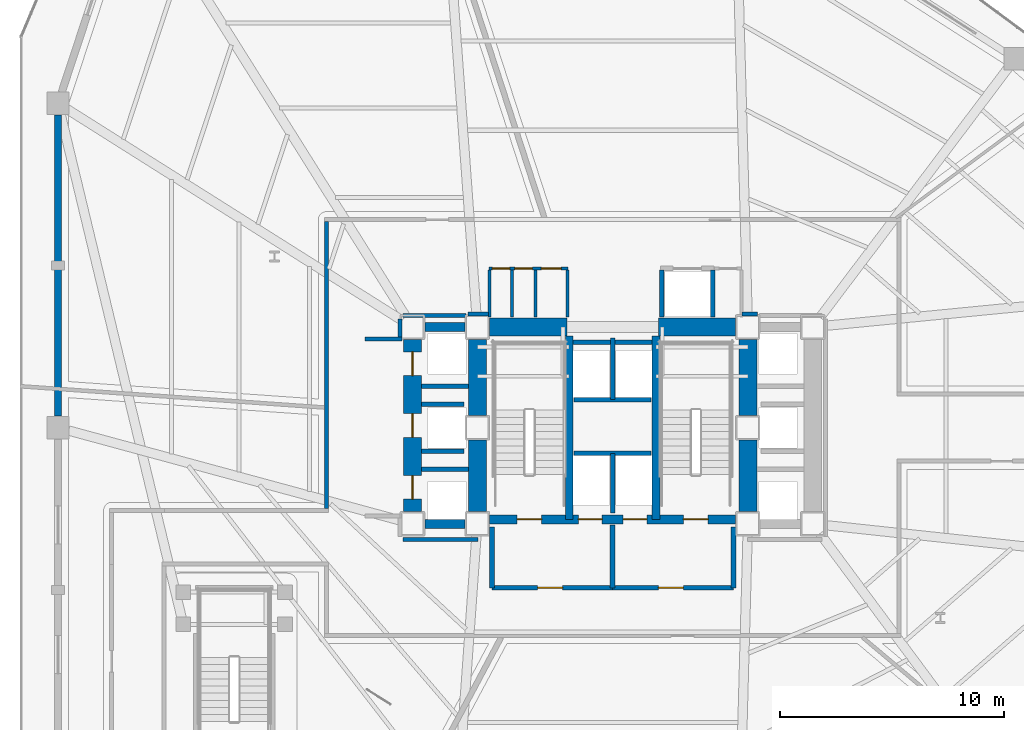
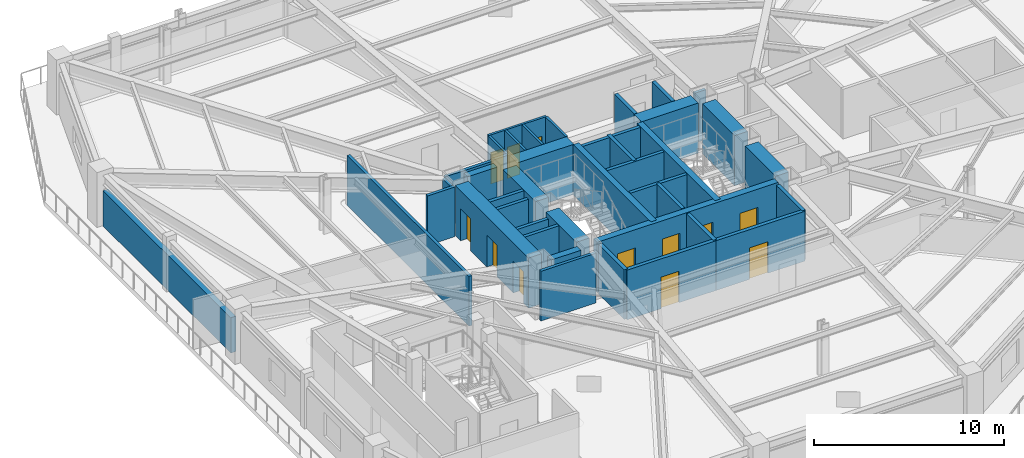
# One storey, part 6 of 12: 41 walls, 12 doors, 12 openings.
"""IFC4 building model written with IfcOpenShell, lengths in metres."""

import ifcopenshell
import ifcopenshell.guid

model = None  # the IFC model being written
_history = None  # IfcOwnerHistory: only IFC2X3 demands one
_inside = {}  # id of a spatial element -> (the spatial element, [elements in it])
_under = {}  # id of a project, library or spatial element -> (it, [spatial elements below it])
_declared = {}  # id of a project -> (the project, [libraries it declares])
_typed = {}  # id of a type object -> (the type object, [elements of that type])
_made_of = {}  # id of a material, layer set ... -> (it, [elements and type objects made of it])


def new_model(schema):
    """Start an empty IFC model of exactly this schema.

    Asked for "IFC4X3", IfcOpenShell would pick the latest addendum, in which some entities
    have other attributes; the version numbers below select the first issue.
    IFC2X3 requires an IfcOwnerHistory on every rooted entity: one is made here for all.
    """
    global model, _history
    if schema == "IFC4X3":
        model = ifcopenshell.file(schema_version=(4, 3, 0, 0))
    else:
        model = ifcopenshell.file(schema=schema)
    _inside.clear()
    _under.clear()
    _declared.clear()
    _typed.clear()
    _made_of.clear()
    _history = None
    if model.schema == "IFC2X3":
        org = make("IfcOrganization", Name="unknown")
        user = make(
            "IfcPersonAndOrganization",
            ThePerson=make("IfcPerson", FamilyName="unknown"),
            TheOrganization=org,
        )
        app = make(
            "IfcApplication",
            ApplicationDeveloper=org,
            Version="unknown",
            ApplicationFullName="unknown",
            ApplicationIdentifier="unknown",
        )
        _history = make(
            "IfcOwnerHistory",
            OwningUser=user,
            OwningApplication=app,
            ChangeAction="ADDED",
            CreationDate=0,
        )
    return model


def make(cls, **values):
    """One entity of the class cls with the attributes given. An attribute that is None is left unset."""
    return model.create_entity(
        cls, **{name: value for name, value in values.items() if value is not None}
    )


def rooted(cls, **values):
    """An entity with a GlobalId (a new one), such as an element, a storey or a relation."""
    return make(cls, GlobalId=ifcopenshell.guid.new(), OwnerHistory=_history, **values)


def si_unit(unit_type, name, prefix=None):
    """IfcSIUnit, for example si_unit("LENGTHUNIT", "METRE", prefix="MILLI")."""
    return make("IfcSIUnit", UnitType=unit_type, Prefix=prefix, Name=name)


def assignment(units):
    """IfcUnitAssignment: the units of a project."""
    return None if units is None else make("IfcUnitAssignment", Units=units)


def point(xyz):
    """IfcCartesianPoint."""
    return None if xyz is None else make("IfcCartesianPoint", Coordinates=xyz)


def direction(xyz):
    """IfcDirection."""
    return None if xyz is None else make("IfcDirection", DirectionRatios=xyz)


def frame(location, z_axis=None, x_axis=None):
    """IfcAxis2Placement3D, a coordinate frame: its origin and axes. An axis left out is left unset."""
    return make(
        "IfcAxis2Placement3D",
        Location=point(location),
        Axis=direction(z_axis),
        RefDirection=direction(x_axis),
    )


def frame_2d(location, x_axis=None):
    """IfcAxis2Placement2D, a coordinate frame in the plane: its origin and x axis."""
    return make(
        "IfcAxis2Placement2D", Location=point(location), RefDirection=direction(x_axis)
    )


def origin():
    """The frame at (0, 0, 0) with its axes left unset."""
    return frame((0.0, 0.0, 0.0))


def place(relative_to, where):
    """IfcLocalPlacement: puts the frame where relative to a parent placement (None: the world)."""
    return make(
        "IfcLocalPlacement", PlacementRelTo=relative_to, RelativePlacement=where
    )


def context(
    kind, dimensions, precision=None, world=None, true_north=None, identifier=None
):
    """IfcGeometricRepresentationContext, for example the 3D "Model" context."""
    return make(
        "IfcGeometricRepresentationContext",
        ContextIdentifier=identifier,
        ContextType=kind,
        CoordinateSpaceDimension=dimensions,
        Precision=precision,
        WorldCoordinateSystem=world,
        TrueNorth=true_north,
    )


def subcontext(parent, identifier, kind, view, scale=None):
    """IfcGeometricRepresentationSubContext, for example "Body" below "Model"."""
    return make(
        "IfcGeometricRepresentationSubContext",
        ContextIdentifier=identifier,
        ContextType=kind,
        ParentContext=parent,
        TargetScale=scale,
        TargetView=view,
    )


def project(units=None, contexts=None):
    """IfcProject with its units and contexts."""
    return rooted(
        "IfcProject",
        Name="project",
        RepresentationContexts=contexts,
        UnitsInContext=assignment(units),
    )


def spatial(cls, under=None, at=None, **own):
    """A site, building, storey or space (cls), placed at a placement, below another one or the project."""
    s = rooted(cls, ObjectPlacement=at, **own)
    if under is not None:
        _under.setdefault(under.id(), (under, []))[1].append(s)
    return s


def profile(cls, at=None, kind="AREA", **sizes):
    """A parametric profile (cls). Its sizes go by their IFC names, for example OverallWidth=200.0."""
    return make(cls, ProfileType=kind, Position=at, **sizes)


def rectangle(**sizes):
    """IfcRectangleProfileDef."""
    return profile("IfcRectangleProfileDef", **sizes)


def extrude(swept, where, along, depth):
    """IfcExtrudedAreaSolid: the profile swept, set in the frame where, extruded along a direction by depth."""
    return make(
        "IfcExtrudedAreaSolid",
        SweptArea=swept,
        Position=where,
        ExtrudedDirection=direction(along),
        Depth=depth,
    )


def shape(context_of_items, identifier, shape_type, items):
    """IfcShapeRepresentation: the items that make up one representation, for example the "Body"."""
    return make(
        "IfcShapeRepresentation",
        ContextOfItems=context_of_items,
        RepresentationIdentifier=identifier,
        RepresentationType=shape_type,
        Items=items,
    )


def material(Name=None, Category=None):
    """IfcMaterial."""
    return make("IfcMaterial", Name=Name, Category=Category)


def layer(
    of_material, thickness, ventilated=None, Name=None, Category=None, Priority=None
):
    """IfcMaterialLayer: one layer of a wall or slab, of a material (None: an air gap)."""
    return make(
        "IfcMaterialLayer",
        Material=of_material,
        LayerThickness=thickness,
        IsVentilated=ventilated,
        Name=Name,
        Category=Category,
        Priority=Priority,
    )


def layer_set(layers, Name=None):
    """IfcMaterialLayerSet."""
    return make("IfcMaterialLayerSet", MaterialLayers=layers, LayerSetName=Name)


def made_of(thing, what):
    """Note that an element or type object is made of a material, layer set ...; save() writes the relation."""
    if what is not None:
        _made_of.setdefault(what.id(), (what, []))[1].append(thing)
    return thing


def type_object(cls, material=None, **own):
    """A type object (cls), such as IfcWallType, which elements share."""
    return made_of(rooted(cls, **own), material)


def element(
    cls,
    number,
    at=None,
    inside=None,
    cuts=None,
    type_object=None,
    material=None,
    context=None,
    identifier="Body",
    shape_type=None,
    held_by="IfcProductDefinitionShape",
    body=None,
    shapes=None,
    **own,
):
    """One element of the class cls, such as IfcWall. Its Tag is "e" and its number.

    at: its placement. inside: the storey or other place that contains it. cuts: it is an
    opening in that element (IfcRelVoidsElement). A single representation is given by context,
    identifier, shape_type and body (its items); several are given by shapes. held_by: the class
    of the entity that holds the representations. save() writes the other relations.
    """
    e = rooted(cls, Tag="e%d" % number, ObjectPlacement=at, **own)
    if body is not None:
        shapes = [shape(context, identifier, shape_type, body)]
    if shapes is not None:
        e.Representation = make(held_by, Representations=shapes)
    if inside is not None:
        _inside.setdefault(inside.id(), (inside, []))[1].append(e)
    if cuts is not None:
        rooted(
            "IfcRelVoidsElement", RelatingBuildingElement=cuts, RelatedOpeningElement=e
        )
    if type_object is not None:
        _typed.setdefault(type_object.id(), (type_object, []))[1].append(e)
    return made_of(e, material)


def fill(opening, filler):
    """IfcRelFillsElement: the door or window that sits in an opening."""
    return rooted(
        "IfcRelFillsElement",
        RelatingOpeningElement=opening,
        RelatedBuildingElement=filler,
    )


def aggregate(whole, parts):
    """IfcRelAggregates: a whole, such as a stair, and the parts it consists of."""
    return rooted("IfcRelAggregates", RelatingObject=whole, RelatedObjects=parts)


def save(model, path):
    """Write the relations noted so far, then the file.

    IfcRelAggregates (storeys below a building ...), IfcRelContainedInSpatialStructure (elements
    in a storey), IfcRelDefinesByType, IfcRelAssociatesMaterial and IfcRelDeclares: one each for
    every whole, place, type object, material and project.
    """
    for whole, parts in _under.values():
        aggregate(whole, parts)
    for where, things in _inside.values():
        rooted(
            "IfcRelContainedInSpatialStructure",
            RelatedElements=things,
            RelatingStructure=where,
        )
    for kind, things in _typed.values():
        rooted("IfcRelDefinesByType", RelatedObjects=things, RelatingType=kind)
    for what, things in _made_of.values():
        rooted("IfcRelAssociatesMaterial", RelatedObjects=things, RelatingMaterial=what)
    for by, libraries in _declared.values():
        rooted("IfcRelDeclares", RelatingContext=by, RelatedDefinitions=libraries)
    model.write(path)


model = new_model("IFC4")

# Units and contexts
model_context = context("Model", 3, precision=1e-05, world=origin(), true_north=direction((0.0, 1.0)))
body_context = subcontext(model_context, "Body", "Model", "MODEL_VIEW")
ifc_project = project(units=[si_unit("LENGTHUNIT", "METRE"), si_unit("AREAUNIT", "SQUARE_METRE"), si_unit("VOLUMEUNIT", "CUBIC_METRE"), si_unit("PLANEANGLEUNIT", "RADIAN"), si_unit("MASSUNIT", "GRAM", prefix="KILO")], contexts=[model_context])

# Site, building, storey
site_placement = place(None, origin())
site = spatial("IfcSite", under=ifc_project, at=site_placement, CompositionType="ELEMENT")
building_placement = place(site_placement, origin())
building = spatial("IfcBuilding", under=site, at=building_placement, Name="Rocaltana Carrier Exchange", CompositionType="ELEMENT")
storey_placement = place(building_placement, frame((0.0, 0.0, 8.320068359375)))
storey = spatial("IfcBuildingStorey", under=building, at=storey_placement, Name="L03", CompositionType="ELEMENT", Elevation=8.320068359375)

# Walls
ifc_material_1 = material(Name="Concrete C50/60", Category="concrete")
ifc_layer_1 = layer(ifc_material_1, 0.35009765625)
ifc_layer_set_1 = layer_set([ifc_layer_1], Name="Concrete C50/60")
wall_type_1 = type_object("IfcWallType", Name="Core Internal Shear Wall 350", PredefinedType="SHEAR", material=ifc_layer_set_1)
for number, where, z_axis, x_axis, name in (
    (1, (-1.93994140625, -4.10009765625, 0.0), (0.0, 0.0, 1.0), (0.0, 1.0, 0.0), "L03 Core Shear Wall CW-STW"),
    (2, (1.93994140625, -4.10009765625, 0.0), (0.0, 0.0, 1.0), (0.0, 1.0, 0.0), "L03 Core Shear Wall CW-STE"),
):
    element("IfcWall", number, at=place(storey_placement, frame(where, z_axis=z_axis, x_axis=x_axis)), inside=storey, type_object=wall_type_1, Name=name, PredefinedType="SHEAR", context=body_context, shape_type="SweptSolid", body=[
        extrude(rectangle(XDim=8.2001953125, YDim=0.35009765625, at=frame_2d((4.10009765625, 0.0))), origin(), (0.0, 0.0, 1.0), 3.218017578125),
    ])

# Wall, openings, doors
ifc_material_2 = material(Name="Concrete C50/60", Category="concrete")
ifc_layer_2 = layer(ifc_material_2, 0.39990234375)
ifc_layer_set_2 = layer_set([ifc_layer_2], Name="Concrete C50/60")
wall_type_2 = type_object("IfcWallType", Name="Core Internal Shear Wall 400", PredefinedType="SHEAR", material=ifc_layer_set_2)
wall_1_placement = place(storey_placement, frame((-5.5, -4.10009765625, 0.0), z_axis=(0.0, 0.0, 1.0), x_axis=(1.0, 0.0, 0.0)))
wall_1 = element("IfcWall", 3, at=wall_1_placement, inside=storey, type_object=wall_type_2, Name="L03 Core Shear Wall CW-S", PredefinedType="SHEAR", context=body_context, shape_type="SweptSolid", body=[
    extrude(rectangle(XDim=11.0, YDim=0.39990234375, at=frame_2d((5.5, 0.0))), origin(), (0.0, 0.0, 1.0), 3.218017578125),
])
opening_1_placement = place(wall_1_placement, frame((1.22998046875, 0.0, 0.0)))
opening_1 = element("IfcOpeningElement", 4, at=opening_1_placement, cuts=wall_1, Name="Opening D-ST110", PredefinedType="OPENING", context=body_context, shape_type="SweptSolid", body=[
    extrude(rectangle(XDim=1.10009765625, YDim=2.0400390625, at=frame_2d((0.550048828125, 1.02001953125))), frame((0.0, 0.2099609375, 0.0), z_axis=(0.0, -1.0, 0.0), x_axis=(1.0, 0.0, 0.0)), (0.0, 0.0, 1.0), 0.419921875),
])
opening_2_placement = place(wall_1_placement, frame((8.669921875, 0.0, 0.0)))
opening_2 = element("IfcOpeningElement", 5, at=opening_2_placement, cuts=wall_1, Name="Opening D-ST110", PredefinedType="OPENING", context=body_context, shape_type="SweptSolid", body=[
    extrude(rectangle(XDim=1.10009765625, YDim=2.0400390625, at=frame_2d((0.550048828125, 1.02001953125))), frame((0.0, 0.2099609375, 0.0), z_axis=(0.0, -1.0, 0.0), x_axis=(1.0, 0.0, 0.0)), (0.0, 0.0, 1.0), 0.419921875),
])
opening_3_placement = place(wall_1_placement, frame((3.969970703125, 0.0, 0.0)))
opening_3 = element("IfcOpeningElement", 6, at=opening_3_placement, cuts=wall_1, Name="Opening LD-110", PredefinedType="OPENING", context=body_context, shape_type="SweptSolid", body=[
    extrude(rectangle(XDim=1.06005859375, YDim=2.0400390625, at=frame_2d((0.530029296875, 1.02001953125))), frame((0.0, 0.2099609375, 0.0), z_axis=(0.0, -1.0, 0.0), x_axis=(1.0, 0.0, 0.0)), (0.0, 0.0, 1.0), 0.419921875),
])
opening_4_placement = place(wall_1_placement, frame((5.969970703125, 0.0, 0.0)))
opening_4 = element("IfcOpeningElement", 7, at=opening_4_placement, cuts=wall_1, Name="Opening LD-110", PredefinedType="OPENING", context=body_context, shape_type="SweptSolid", body=[
    extrude(rectangle(XDim=1.06005859375, YDim=2.0400390625, at=frame_2d((0.530029296875, 1.02001953125))), frame((0.0, 0.2099609375, 0.0), z_axis=(0.0, -1.0, 0.0), x_axis=(1.0, 0.0, 0.0)), (0.0, 0.0, 1.0), 0.419921875),
])
ifc_material_3 = material(Name="Hollow Metal Fire Door Assembly", Category="steel")
door_type_1 = type_object("IfcDoorType", Name="Exit Stair Fire Door 1100x2040 FD90S", OperationType="NOTDEFINED", PredefinedType="DOOR", material=ifc_material_3)
door_1_placement = place(opening_1_placement, origin())
door_1 = element("IfcDoor", 8, at=door_1_placement, inside=storey, type_object=door_type_1, Name="L03 Exit Stair ST1 Fire Door", OperationType="SINGLE_SWING_RIGHT", OverallHeight=2.0400390625, OverallWidth=1.10009765625, PredefinedType="DOOR", context=body_context, shape_type="SweptSolid", body=[
    extrude(rectangle(XDim=1.10009765625, YDim=2.0400390625, at=frame_2d((0.550048828125, 1.02001953125))), frame((0.0, 0.02490234375, 0.0), z_axis=(0.0, -1.0, 0.0), x_axis=(1.0, 0.0, 0.0)), (0.0, 0.0, 1.0), 0.050048828125),
])
fill(opening_1, door_1)
door_2_placement = place(opening_2_placement, origin())
door_2 = element("IfcDoor", 9, at=door_2_placement, inside=storey, type_object=door_type_1, Name="L03 Exit Stair ST2 Fire Door", OperationType="SINGLE_SWING_LEFT", OverallHeight=2.0400390625, OverallWidth=1.10009765625, PredefinedType="DOOR", context=body_context, shape_type="SweptSolid", body=[
    extrude(rectangle(XDim=1.10009765625, YDim=2.0400390625, at=frame_2d((0.550048828125, 1.02001953125))), frame((0.0, 0.02490234375, 0.0), z_axis=(0.0, -1.0, 0.0), x_axis=(1.0, 0.0, 0.0)), (0.0, 0.0, 1.0), 0.050048828125),
])
fill(opening_2, door_2)
ifc_material_4 = material(Name="Brushed Stainless Sliding Door Leaf", Category="steel")
door_type_2 = type_object("IfcDoorType", Name="Lift Landing Sliding Door 1060x2040", OperationType="NOTDEFINED", PredefinedType="DOOR", material=ifc_material_4)
door_3_placement = place(opening_3_placement, origin())
door_3 = element("IfcDoor", 10, at=door_3_placement, inside=storey, type_object=door_type_2, Name="L03 Firefighting Lift FFL1 Landing Door", OperationType="SLIDING_TO_LEFT", OverallHeight=2.0400390625, OverallWidth=1.06005859375, PredefinedType="DOOR", context=body_context, shape_type="SweptSolid", body=[
    extrude(rectangle(XDim=1.06005859375, YDim=2.0400390625, at=frame_2d((0.530029296875, 1.02001953125))), frame((0.0, 0.02490234375, 0.0), z_axis=(0.0, -1.0, 0.0), x_axis=(1.0, 0.0, 0.0)), (0.0, 0.0, 1.0), 0.050048828125),
])
fill(opening_3, door_3)
door_4_placement = place(opening_4_placement, origin())
door_4 = element("IfcDoor", 11, at=door_4_placement, inside=storey, type_object=door_type_2, Name="L03 Firefighting Lift FFL2 Landing Door", OperationType="SLIDING_TO_RIGHT", OverallHeight=2.0400390625, OverallWidth=1.06005859375, PredefinedType="DOOR", context=body_context, shape_type="SweptSolid", body=[
    extrude(rectangle(XDim=1.06005859375, YDim=2.0400390625, at=frame_2d((0.530029296875, 1.02001953125))), frame((0.0, 0.02490234375, 0.0), z_axis=(0.0, -1.0, 0.0), x_axis=(1.0, 0.0, 0.0)), (0.0, 0.0, 1.0), 0.050048828125),
])
fill(opening_4, door_4)

# Walls
for number, where, z_axis, x_axis, name in (
    (12, (-8.39990234375, 4.5, 0.0), (0.0, 0.0, 1.0), (1.0, 0.0, 0.0), "L03 Core Shear Wall CW-WWN"),
    (13, (-8.39990234375, -4.300048828125, 0.0), (0.0, 0.0, 1.0), (1.0, 0.0, 0.0), "L03 Core Shear Wall CW-WWS"),
):
    element("IfcWall", number, at=place(storey_placement, frame(where, z_axis=z_axis, x_axis=x_axis)), inside=storey, type_object=wall_type_2, Name=name, PredefinedType="SHEAR", context=body_context, shape_type="SweptSolid", body=[
        extrude(rectangle(XDim=1.7998046875, YDim=0.39990234375, at=frame_2d((0.89990234375, 0.0))), origin(), (0.0, 0.0, 1.0), 3.218017578125),
    ])
ifc_material_5 = material(Name="Concrete C60/75", Category="concrete")
ifc_layer_3 = layer(ifc_material_5, 0.800048828125)
ifc_layer_set_3 = layer_set([ifc_layer_3], Name="Concrete C60/75")
wall_type_3 = type_object("IfcWallType", Name="Core Shear Wall 800", PredefinedType="SHEAR", material=ifc_layer_set_3)
wall_2_placement = place(storey_placement, frame((-6.050048828125, 0.550048828125, 0.0), z_axis=(0.0, 0.0, 1.0), x_axis=(0.0, 1.0, 0.0)))
element("IfcWall", 14, at=wall_2_placement, inside=storey, type_object=wall_type_3, Name="L03 Core Shear Wall CW-WN", PredefinedType="SHEAR", context=body_context, shape_type="SweptSolid", body=[
    extrude(rectangle(XDim=3.39990234375, YDim=0.800048828125, at=frame_2d((1.699951171875, 0.0))), origin(), (0.0, 0.0, 1.0), 3.218017578125),
])
wall_3_placement = place(storey_placement, frame((-6.050048828125, -3.75, 0.0), z_axis=(0.0, 0.0, 1.0), x_axis=(0.0, 1.0, 0.0)))
element("IfcWall", 15, at=wall_3_placement, inside=storey, type_object=wall_type_3, Name="L03 Core Shear Wall CW-WS", PredefinedType="SHEAR", context=body_context, shape_type="SweptSolid", body=[
    extrude(rectangle(XDim=3.199951171875, YDim=0.800048828125, at=frame_2d((1.60009765625, 0.0))), origin(), (0.0, 0.0, 1.0), 3.218017578125),
])
wall_4_placement = place(storey_placement, frame((6.050048828125, 0.550048828125, 0.0), z_axis=(0.0, 0.0, 1.0), x_axis=(0.0, 1.0, 0.0)))
element("IfcWall", 16, at=wall_4_placement, inside=storey, type_object=wall_type_3, Name="L03 Core Shear Wall CW-EN", PredefinedType="SHEAR", context=body_context, shape_type="SweptSolid", body=[
    extrude(rectangle(XDim=3.39990234375, YDim=0.800048828125, at=frame_2d((1.699951171875, 0.0))), origin(), (0.0, 0.0, 1.0), 3.218017578125),
])
wall_5_placement = place(storey_placement, frame((6.050048828125, -3.75, 0.0), z_axis=(0.0, 0.0, 1.0), x_axis=(0.0, 1.0, 0.0)))
element("IfcWall", 17, at=wall_5_placement, inside=storey, type_object=wall_type_3, Name="L03 Core Shear Wall CW-ES", PredefinedType="SHEAR", context=body_context, shape_type="SweptSolid", body=[
    extrude(rectangle(XDim=3.199951171875, YDim=0.800048828125, at=frame_2d((1.60009765625, 0.0))), origin(), (0.0, 0.0, 1.0), 3.218017578125),
])
for number, where, z_axis, x_axis, name in (
    (18, (-5.5, 4.5, 0.0), (0.0, 0.0, 1.0), (1.0, 0.0, 0.0), "L03 Core Shear Wall CW-N1"),
    (19, (2.050048828125, 4.5, 0.0), (0.0, 0.0, 1.0), (1.0, 0.0, 0.0), "L03 Core Shear Wall CW-N2"),
):
    element("IfcWall", number, at=place(storey_placement, frame(where, z_axis=z_axis, x_axis=x_axis)), inside=storey, type_object=wall_type_3, Name=name, PredefinedType="SHEAR", context=body_context, shape_type="SweptSolid", body=[
        extrude(rectangle(XDim=3.449951171875, YDim=0.800048828125, at=frame_2d((1.72509765625, 0.0))), origin(), (0.0, 0.0, 1.0), 3.218017578125),
    ])

# Wall, openings, doors
wall_6_placement = place(storey_placement, frame((-8.949951171875, -3.75, 0.0), z_axis=(0.0, 0.0, 1.0), x_axis=(0.0, 1.0, 0.0)))
wall_6 = element("IfcWall", 20, at=wall_6_placement, inside=storey, type_object=wall_type_3, Name="L03 Core Shear Wall CW-WW", PredefinedType="SHEAR", context=body_context, shape_type="SweptSolid", body=[
    extrude(rectangle(XDim=7.699951171875, YDim=0.800048828125, at=frame_2d((3.85009765625, 0.0))), origin(), (0.0, 0.0, 1.0), 3.218017578125),
])
opening_5_placement = place(wall_6_placement, frame((0.550048828125, 0.0, 0.0)))
opening_5 = element("IfcOpeningElement", 21, at=opening_5_placement, cuts=wall_6, Name="Opening LD-110", PredefinedType="OPENING", context=body_context, shape_type="SweptSolid", body=[
    extrude(rectangle(XDim=1.06005859375, YDim=2.0400390625, at=frame_2d((0.530029296875, 1.02001953125))), frame((0.0, 0.409912109375, 0.0), z_axis=(0.0, -1.0, 0.0), x_axis=(1.0, 0.0, 0.0)), (0.0, 0.0, 1.0), 0.820068359375),
])
opening_6_placement = place(wall_6_placement, frame((3.320068359375, 0.0, 0.0)))
opening_6 = element("IfcOpeningElement", 22, at=opening_6_placement, cuts=wall_6, Name="Opening LD-110", PredefinedType="OPENING", context=body_context, shape_type="SweptSolid", body=[
    extrude(rectangle(XDim=1.06005859375, YDim=2.0400390625, at=frame_2d((0.530029296875, 1.02001953125))), frame((0.0, 0.409912109375, 0.0), z_axis=(0.0, -1.0, 0.0), x_axis=(1.0, 0.0, 0.0)), (0.0, 0.0, 1.0), 0.820068359375),
])
opening_7_placement = place(wall_6_placement, frame((6.080078125, 0.0, 0.0)))
opening_7 = element("IfcOpeningElement", 23, at=opening_7_placement, cuts=wall_6, Name="Opening LD-110", PredefinedType="OPENING", context=body_context, shape_type="SweptSolid", body=[
    extrude(rectangle(XDim=1.06005859375, YDim=2.0400390625, at=frame_2d((0.530029296875, 1.02001953125))), frame((0.0, 0.409912109375, 0.0), z_axis=(0.0, -1.0, 0.0), x_axis=(1.0, 0.0, 0.0)), (0.0, 0.0, 1.0), 0.820068359375),
])
door_5_placement = place(opening_5_placement, origin())
door_5 = element("IfcDoor", 24, at=door_5_placement, inside=storey, type_object=door_type_2, Name="L03 Low-Rise Lift PL-L1 Landing Door", OperationType="SLIDING_TO_LEFT", OverallHeight=2.0400390625, OverallWidth=1.06005859375, PredefinedType="DOOR", context=body_context, shape_type="SweptSolid", body=[
    extrude(rectangle(XDim=1.06005859375, YDim=2.0400390625, at=frame_2d((0.530029296875, 1.02001953125))), frame((0.0, 0.02490234375, 0.0), z_axis=(0.0, -1.0, 0.0), x_axis=(1.0, 0.0, 0.0)), (0.0, 0.0, 1.0), 0.050048828125),
])
fill(opening_5, door_5)
door_6_placement = place(opening_6_placement, origin())
door_6 = element("IfcDoor", 25, at=door_6_placement, inside=storey, type_object=door_type_2, Name="L03 Low-Rise Lift PL-L2 Landing Door", OperationType="SLIDING_TO_RIGHT", OverallHeight=2.0400390625, OverallWidth=1.06005859375, PredefinedType="DOOR", context=body_context, shape_type="SweptSolid", body=[
    extrude(rectangle(XDim=1.06005859375, YDim=2.0400390625, at=frame_2d((0.530029296875, 1.02001953125))), frame((0.0, 0.02490234375, 0.0), z_axis=(0.0, -1.0, 0.0), x_axis=(1.0, 0.0, 0.0)), (0.0, 0.0, 1.0), 0.050048828125),
])
fill(opening_6, door_6)
door_7_placement = place(opening_7_placement, origin())
door_7 = element("IfcDoor", 26, at=door_7_placement, inside=storey, type_object=door_type_2, Name="L03 Low-Rise Lift PL-L3 Landing Door", OperationType="SLIDING_TO_LEFT", OverallHeight=2.0400390625, OverallWidth=1.06005859375, PredefinedType="DOOR", context=body_context, shape_type="SweptSolid", body=[
    extrude(rectangle(XDim=1.06005859375, YDim=2.0400390625, at=frame_2d((0.530029296875, 1.02001953125))), frame((0.0, 0.02490234375, 0.0), z_axis=(0.0, -1.0, 0.0), x_axis=(1.0, 0.0, 0.0)), (0.0, 0.0, 1.0), 0.050048828125),
])
fill(opening_7, door_7)

# Walls
ifc_material_6 = material(Name="Gypsum & Steel Stud Partition", Category="steel")
ifc_layer_4 = layer(ifc_material_6, 0.179931640625)
ifc_layer_set_4 = layer_set([ifc_layer_4], Name="Gypsum & Steel Stud Partition")
wall_type_4 = type_object("IfcWallType", Name="Corridor Fire Partition 180 EI60", PredefinedType="PARTITIONING", material=ifc_layer_set_4)
wall_7_placement = place(storey_placement, frame((-12.800048828125, -3.610107421875, 0.0), z_axis=(0.0, 0.0, 1.0), x_axis=(0.0, 1.0, 0.0)))
element("IfcWall", 27, at=wall_7_placement, inside=storey, type_object=wall_type_4, Name="L03 Corridor Partition 7", PredefinedType="PARTITIONING", context=body_context, shape_type="SweptSolid", body=[
    extrude(rectangle(XDim=12.820068359375, YDim=0.179931640625, at=frame_2d((6.41015625, 0.0))), origin(), (0.0, 0.0, 1.0), 3.19287109375),
])
wall_8_placement = place(storey_placement, frame((-9.3701171875, -5.010009765625, 0.0), z_axis=(0.0, 0.0, 1.0), x_axis=(1.0, 0.0, 0.0)))
element("IfcWall", 28, at=wall_8_placement, inside=storey, type_object=wall_type_4, Name="L03 Corridor Partition 23", PredefinedType="PARTITIONING", context=body_context, shape_type="SweptSolid", body=[
    extrude(rectangle(XDim=3.340087890625, YDim=0.179931640625, at=frame_2d((1.669921875, 0.0))), origin(), (0.0, 0.0, 1.0), 3.19287109375),
])
wall_9_placement = place(storey_placement, frame((6.469970703125, 5.080078125, 0.0), z_axis=(0.0, 0.0, 1.0), x_axis=(-1.0, 0.0, 0.0)))
element("IfcWall", 29, at=wall_9_placement, inside=storey, type_object=wall_type_4, Name="L03 Corridor Partition 29", PredefinedType="PARTITIONING", context=body_context, shape_type="SweptSolid", body=[
    extrude(rectangle(XDim=0.679931640625, YDim=0.179931640625, at=frame_2d((0.33984375, 0.0))), origin(), (0.0, 0.0, 1.0), 3.19287109375),
])
wall_10_placement = place(storey_placement, frame((-5.550048828125, 5.080078125, 0.0), z_axis=(0.0, 0.0, 1.0), x_axis=(-1.0, 0.0, 0.0)))
element("IfcWall", 30, at=wall_10_placement, inside=storey, type_object=wall_type_4, Name="L03 Corridor Partition 32", PredefinedType="PARTITIONING", context=body_context, shape_type="SweptSolid", body=[
    extrude(rectangle(XDim=0.919921875, YDim=0.179931640625, at=frame_2d((0.4599609375, 0.0))), origin(), (0.0, 0.0, 1.0), 3.19287109375),
])
wall_11_placement = place(storey_placement, frame((-6.562255859375, 5.010009765625, 0.0), z_axis=(0.0, 0.0, 1.0), x_axis=(-1.0, 0.0, 0.0)))
element("IfcWall", 31, at=wall_11_placement, inside=storey, type_object=wall_type_4, Name="L03 Corridor Partition 33", PredefinedType="PARTITIONING", context=body_context, shape_type="SweptSolid", body=[
    extrude(rectangle(XDim=2.807861328125, YDim=0.179931640625, at=frame_2d((1.40380859375, 0.0))), origin(), (0.0, 0.0, 1.0), 3.19287109375),
])
wall_12_placement = place(storey_placement, frame((-9.510009765625, 4.8701171875, 0.0), z_axis=(0.0, 0.0, 1.0), x_axis=(0.0, -1.0, 0.0)))
element("IfcWall", 32, at=wall_12_placement, inside=storey, type_object=wall_type_4, Name="L03 Corridor Partition 34", PredefinedType="PARTITIONING", context=body_context, shape_type="SweptSolid", body=[
    extrude(rectangle(XDim=0.820068359375, YDim=0.179931640625, at=frame_2d((0.41015625, 0.0))), origin(), (0.0, 0.0, 1.0), 3.19287109375),
])
wall_13_placement = place(storey_placement, frame((-9.419921875, 3.9599609375, 0.0), z_axis=(0.0, 0.0, 1.0), x_axis=(-1.0, 0.0, 0.0)))
element("IfcWall", 33, at=wall_13_placement, inside=storey, type_object=wall_type_4, Name="L03 Corridor Partition 35", PredefinedType="PARTITIONING", context=body_context, shape_type="SweptSolid", body=[
    extrude(rectangle(XDim=1.650146484375, YDim=0.179931640625, at=frame_2d((0.8251953125, 0.0))), origin(), (0.0, 0.0, 1.0), 3.19287109375),
])
ifc_material_7 = material(Name="Autoclaved Aerated Concrete C30/37", Category="concrete")
ifc_layer_5 = layer(ifc_material_7, 0.219970703125)
ifc_layer_set_5 = layer_set([ifc_layer_5], Name="Autoclaved Aerated Concrete C30/37")
wall_type_5 = type_object("IfcWallType", Name="Firefighting Lobby Wall 220 EI120", PredefinedType="PARTITIONING", material=ifc_layer_set_5)
for number, where, z_axis, x_axis, name in (
    (34, (-5.39990234375, -7.159912109375, 0.0), (0.0, 0.0, 1.0), (0.0, 1.0, 0.0), "L03 FFL Lobby 1 West Wall"),
    (35, (5.39990234375, -7.159912109375, 0.0), (0.0, 0.0, 1.0), (0.0, 1.0, 0.0), "L03 FFL Lobby 2 East Wall"),
):
    element("IfcWall", number, at=place(storey_placement, frame(where, z_axis=z_axis, x_axis=x_axis)), inside=storey, type_object=wall_type_5, Name=name, PredefinedType="PARTITIONING", context=body_context, shape_type="SweptSolid", body=[
        extrude(rectangle(XDim=2.7099609375, YDim=0.219970703125, at=frame_2d((1.35498046875, 0.0))), origin(), (0.0, 0.0, 1.0), 3.19287109375),
    ])
wall_14_placement = place(storey_placement, frame((0.0, -7.159912109375, 0.0), z_axis=(0.0, 0.0, 1.0), x_axis=(0.0, 1.0, 0.0)))
element("IfcWall", 36, at=wall_14_placement, inside=storey, type_object=wall_type_5, Name="L03 FFL Lobby Centre Wall", PredefinedType="PARTITIONING", context=body_context, shape_type="SweptSolid", body=[
    extrude(rectangle(XDim=2.809814453125, YDim=0.219970703125, at=frame_2d((1.40478515625, 0.0))), origin(), (0.0, 0.0, 1.0), 3.19287109375),
])

# Wall, opening, door
wall_15_placement = place(storey_placement, frame((-5.39990234375, -7.159912109375, 0.0), z_axis=(0.0, 0.0, 1.0), x_axis=(1.0, 0.0, 0.0)))
wall_15 = element("IfcWall", 37, at=wall_15_placement, inside=storey, type_object=wall_type_5, Name="L03 FFL Lobby 1 South Wall", PredefinedType="PARTITIONING", context=body_context, shape_type="SweptSolid", body=[
    extrude(rectangle(XDim=5.39990234375, YDim=0.219970703125, at=frame_2d((2.699951171875, 0.0))), origin(), (0.0, 0.0, 1.0), 3.19287109375),
])
opening_8_placement = place(wall_15_placement, frame((2.050048828125, 0.0, 0.0)))
opening_8 = element("IfcOpeningElement", 38, at=opening_8_placement, cuts=wall_15, Name="Opening D-FF115", PredefinedType="OPENING", context=body_context, shape_type="SweptSolid", body=[
    extrude(rectangle(XDim=1.1201171875, YDim=2.02001953125, at=frame_2d((0.56005859375, 1.010009765625))), frame((0.0, 0.119873046875, 0.0), z_axis=(0.0, -1.0, 0.0), x_axis=(1.0, 0.0, 0.0)), (0.0, 0.0, 1.0), 0.239990234375),
])
ifc_material_8 = material(Name="Hollow Metal Fire Door Assembly", Category="steel")
door_type_3 = type_object("IfcDoorType", Name="Firefighting Lobby Door 1120x2020 FD60S", OperationType="NOTDEFINED", PredefinedType="DOOR", material=ifc_material_8)
door_8_placement = place(opening_8_placement, origin())
door_8 = element("IfcDoor", 39, at=door_8_placement, inside=storey, type_object=door_type_3, Name="L03 Firefighting Lift Lobby 1 Door", OperationType="SINGLE_SWING_RIGHT", OverallHeight=2.02001953125, OverallWidth=1.1201171875, PredefinedType="DOOR", context=body_context, shape_type="SweptSolid", body=[
    extrude(rectangle(XDim=1.1201171875, YDim=2.02001953125, at=frame_2d((0.56005859375, 1.010009765625))), frame((0.0, 0.02490234375, 0.0), z_axis=(0.0, -1.0, 0.0), x_axis=(1.0, 0.0, 0.0)), (0.0, 0.0, 1.0), 0.050048828125),
])
fill(opening_8, door_8)

wall_16_placement = place(storey_placement, frame((0.0, -7.159912109375, 0.0), z_axis=(0.0, 0.0, 1.0), x_axis=(1.0, 0.0, 0.0)))
wall_16 = element("IfcWall", 40, at=wall_16_placement, inside=storey, type_object=wall_type_5, Name="L03 FFL Lobby 2 South Wall", PredefinedType="PARTITIONING", context=body_context, shape_type="SweptSolid", body=[
    extrude(rectangle(XDim=5.39990234375, YDim=0.219970703125, at=frame_2d((2.699951171875, 0.0))), origin(), (0.0, 0.0, 1.0), 3.19287109375),
])
opening_9_placement = place(wall_16_placement, frame((2.050048828125, 0.0, 0.0)))
opening_9 = element("IfcOpeningElement", 41, at=opening_9_placement, cuts=wall_16, Name="Opening D-FF115", PredefinedType="OPENING", context=body_context, shape_type="SweptSolid", body=[
    extrude(rectangle(XDim=1.1201171875, YDim=2.02001953125, at=frame_2d((0.56005859375, 1.010009765625))), frame((0.0, 0.119873046875, 0.0), z_axis=(0.0, -1.0, 0.0), x_axis=(1.0, 0.0, 0.0)), (0.0, 0.0, 1.0), 0.239990234375),
])
door_9_placement = place(opening_9_placement, origin())
door_9 = element("IfcDoor", 42, at=door_9_placement, inside=storey, type_object=door_type_3, Name="L03 Firefighting Lift Lobby 2 Door", OperationType="SINGLE_SWING_LEFT", OverallHeight=2.02001953125, OverallWidth=1.1201171875, PredefinedType="DOOR", context=body_context, shape_type="SweptSolid", body=[
    extrude(rectangle(XDim=1.1201171875, YDim=2.02001953125, at=frame_2d((0.56005859375, 1.010009765625))), frame((0.0, 0.02490234375, 0.0), z_axis=(0.0, -1.0, 0.0), x_axis=(1.0, 0.0, 0.0)), (0.0, 0.0, 1.0), 0.050048828125),
])
fill(opening_9, door_9)

# Walls
ifc_material_9 = material(Name="Reinforced Concrete Block C35/45", Category="concrete")
ifc_layer_6 = layer(ifc_material_9, 0.199951171875)
ifc_layer_set_6 = layer_set([ifc_layer_6], Name="Reinforced Concrete Block C35/45")
wall_type_6 = type_object("IfcWallType", Name="Lift Hoistway Enclosure Wall 200 EI120", PredefinedType="PARTITIONING", material=ifc_layer_set_6)
wall_17_placement = place(storey_placement, frame((0.0, -3.820068359375, 0.0), z_axis=(0.0, 0.0, 1.0), x_axis=(0.0, 1.0, 0.0)))
element("IfcWall", 43, at=wall_17_placement, inside=storey, type_object=wall_type_6, Name="L03 FFL Shaft Divider", PredefinedType="PARTITIONING", context=body_context, shape_type="SweptSolid", body=[
    extrude(rectangle(XDim=2.670166015625, YDim=0.199951171875, at=frame_2d((1.3349609375, 0.0))), origin(), (0.0, 0.0, 1.0), 3.19287109375),
])
wall_18_placement = place(storey_placement, frame((-1.719970703125, -1.14990234375, 0.0), z_axis=(0.0, 0.0, 1.0), x_axis=(1.0, 0.0, 0.0)))
element("IfcWall", 44, at=wall_18_placement, inside=storey, type_object=wall_type_6, Name="L03 FFL Shaft Back Wall", PredefinedType="PARTITIONING", context=body_context, shape_type="SweptSolid", body=[
    extrude(rectangle(XDim=3.43994140625, YDim=0.199951171875, at=frame_2d((1.719970703125, 0.0))), origin(), (0.0, 0.0, 1.0), 3.19287109375),
])
wall_19_placement = place(storey_placement, frame((0.0, 1.25, 0.0), z_axis=(0.0, 0.0, 1.0), x_axis=(0.0, 1.0, 0.0)))
element("IfcWall", 45, at=wall_19_placement, inside=storey, type_object=wall_type_6, Name="L03 High-Rise Shaft Divider", PredefinedType="PARTITIONING", context=body_context, shape_type="SweptSolid", body=[
    extrude(rectangle(XDim=2.77001953125, YDim=0.199951171875, at=frame_2d((1.385009765625, 0.0))), origin(), (0.0, 0.0, 1.0), 3.19287109375),
])
wall_20_placement = place(storey_placement, frame((-1.719970703125, 1.25, 0.0), z_axis=(0.0, 0.0, 1.0), x_axis=(1.0, 0.0, 0.0)))
element("IfcWall", 46, at=wall_20_placement, inside=storey, type_object=wall_type_6, Name="L03 High-Rise Shaft Back Wall", PredefinedType="PARTITIONING", context=body_context, shape_type="SweptSolid", body=[
    extrude(rectangle(XDim=3.43994140625, YDim=0.199951171875, at=frame_2d((1.719970703125, 0.0))), origin(), (0.0, 0.0, 1.0), 3.19287109375),
])
wall_21_placement = place(storey_placement, frame((-1.760009765625, 3.820068359375, 0.0), z_axis=(0.0, 0.0, 1.0), x_axis=(1.0, 0.0, 0.0)))
element("IfcWall", 47, at=wall_21_placement, inside=storey, type_object=wall_type_6, Name="L03 High-Rise Lift Front Wall", PredefinedType="PARTITIONING", context=body_context, shape_type="SweptSolid", body=[
    extrude(rectangle(XDim=3.52001953125, YDim=0.199951171875, at=frame_2d((1.760009765625, 0.0))), origin(), (0.0, 0.0, 1.0), 3.19287109375),
])
for number, where, z_axis, x_axis, name in (
    (48, (2.199951171875, 4.949951171875, 0.0), (0.0, 0.0, 1.0), (0.0, 1.0, 0.0), "L03 Goods Lift West Wall"),
    (49, (4.47998046875, 4.949951171875, 0.0), (0.0, 0.0, 1.0), (0.0, 1.0, 0.0), "L03 Goods Lift East Wall"),
    (50, (-8.550048828125, -1.85009765625, 0.0), (0.0, 0.0, 1.0), (1.0, 0.0, 0.0), "L03 Low-Rise Shaft Divider 1"),
    (51, (-8.550048828125, 1.85009765625, 0.0), (0.0, 0.0, 1.0), (1.0, 0.0, 0.0), "L03 Low-Rise Shaft Divider 2"),
):
    element("IfcWall", number, at=place(storey_placement, frame(where, z_axis=z_axis, x_axis=x_axis)), inside=storey, type_object=wall_type_6, Name=name, PredefinedType="PARTITIONING", context=body_context, shape_type="SweptSolid", body=[
        extrude(rectangle(XDim=2.10009765625, YDim=0.199951171875, at=frame_2d((1.050048828125, 0.0))), origin(), (0.0, 0.0, 1.0), 3.19287109375),
    ])
for number, where, z_axis, x_axis, name in (
    (52, (-8.550048828125, -1.050048828125, 0.0), (0.0, 0.0, 1.0), (1.0, 0.0, 0.0), "L03 Low-Rise Center Shaft Wall South"),
    (53, (-8.550048828125, 1.050048828125, 0.0), (0.0, 0.0, 1.0), (1.0, 0.0, 0.0), "L03 Low-Rise Center Shaft Wall North"),
):
    element("IfcWall", number, at=place(storey_placement, frame(where, z_axis=z_axis, x_axis=x_axis)), inside=storey, type_object=wall_type_6, Name=name, PredefinedType="PARTITIONING", context=body_context, shape_type="SweptSolid", body=[
        extrude(rectangle(XDim=1.91015625, YDim=0.199951171875, at=frame_2d((0.955078125, 0.0))), origin(), (0.0, 0.0, 1.0), 3.19287109375),
    ])
ifc_material_10 = material(Name="Precast sandstone concrete C45/55", Category="masonry")
ifc_layer_7 = layer(ifc_material_10, 0.320068359375)
ifc_layer_set_7 = layer_set([ifc_layer_7], Name="Precast sandstone concrete C45/55")
wall_type_7 = type_object("IfcWallType", Name="Precast Sandstone Facade Wall 320", PredefinedType="SOLIDWALL", material=ifc_layer_set_7)
wall_22_placement = place(storey_placement, frame((-24.800048828125, 0.52001953125, 0.0), z_axis=(0.0, 0.0, 1.0), x_axis=(0.0, 1.0, 0.0)))
element("IfcWall", 54, at=wall_22_placement, inside=storey, type_object=wall_type_7, Name="L03 Sandstone Facade Wall B11", PredefinedType="SOLIDWALL", context=body_context, shape_type="SweptSolid", body=[
    extrude(rectangle(XDim=13.4599609375, YDim=0.320068359375, at=frame_2d((6.72998046875, 0.0))), origin(), (0.0, 0.0, 1.0), 2.260986328125),
])
ifc_material_11 = material(Name="Moisture-Resistant Masonry C30/37", Category="masonry")
ifc_layer_8 = layer(ifc_material_11, 0.139892578125)
ifc_layer_set_8 = layer_set([ifc_layer_8], Name="Moisture-Resistant Masonry C30/37")
wall_type_8 = type_object("IfcWallType", Name="Wet-Area Sanitary Partition 140", PredefinedType="PARTITIONING", material=ifc_layer_set_8)
for number, where, z_axis, x_axis, name in (
    (55, (-5.5, 4.949951171875, 0.0), (0.0, 0.0, 1.0), (0.0, 1.0, 0.0), "L03 Sanitary West Wall"),
    (56, (-4.5, 4.949951171875, 0.0), (0.0, 0.0, 1.0), (0.0, 1.0, 0.0), "L03 Sanitary Divider 1"),
    (57, (-3.449951171875, 4.949951171875, 0.0), (0.0, 0.0, 1.0), (0.0, 1.0, 0.0), "L03 Sanitary Divider 2"),
    (58, (-2.02001953125, 4.949951171875, 0.0), (0.0, 0.0, 1.0), (0.0, 1.0, 0.0), "L03 Sanitary East Wall"),
):
    element("IfcWall", number, at=place(storey_placement, frame(where, z_axis=z_axis, x_axis=x_axis)), inside=storey, type_object=wall_type_8, Name=name, PredefinedType="PARTITIONING", context=body_context, shape_type="SweptSolid", body=[
        extrude(rectangle(XDim=2.10009765625, YDim=0.139892578125, at=frame_2d((1.050048828125, 0.0))), origin(), (0.0, 0.0, 1.0), 3.19287109375),
    ])

# Wall, openings, doors
wall_23_placement = place(storey_placement, frame((-5.52001953125, 7.1201171875, 0.0), z_axis=(0.0, 0.0, 1.0), x_axis=(1.0, 0.0, 0.0)))
wall_23 = element("IfcWall", 59, at=wall_23_placement, inside=storey, type_object=wall_type_8, Name="L03 Sanitary North Wall", PredefinedType="PARTITIONING", context=body_context, shape_type="SweptSolid", body=[
    extrude(rectangle(XDim=3.52001953125, YDim=0.139892578125, at=frame_2d((1.760009765625, 0.0))), origin(), (0.0, 0.0, 1.0), 3.19287109375),
])
opening_10_placement = place(wall_23_placement, frame((0.139892578125, 0.0, 0.0)))
opening_10 = element("IfcOpeningElement", 60, at=opening_10_placement, cuts=wall_23, Name="Opening D-RS082", PredefinedType="OPENING", context=body_context, shape_type="SweptSolid", body=[
    extrude(rectangle(XDim=0.780029296875, YDim=2.010009765625, at=frame_2d((0.39013671875, 1.0048828125))), frame((0.0, 0.079833984375, 0.0), z_axis=(0.0, -1.0, 0.0), x_axis=(1.0, 0.0, 0.0)), (0.0, 0.0, 1.0), 0.159912109375),
])
opening_11_placement = place(wall_23_placement, frame((1.14990234375, 0.0, 0.0)))
opening_11 = element("IfcOpeningElement", 61, at=opening_11_placement, cuts=wall_23, Name="Opening D-RS082", PredefinedType="OPENING", context=body_context, shape_type="SweptSolid", body=[
    extrude(rectangle(XDim=0.780029296875, YDim=2.010009765625, at=frame_2d((0.39013671875, 1.0048828125))), frame((0.0, 0.079833984375, 0.0), z_axis=(0.0, -1.0, 0.0), x_axis=(1.0, 0.0, 0.0)), (0.0, 0.0, 1.0), 0.159912109375),
])
opening_12_placement = place(wall_23_placement, frame((2.340087890625, 0.0, 0.0)))
opening_12 = element("IfcOpeningElement", 62, at=opening_12_placement, cuts=wall_23, Name="Opening D-WC090", PredefinedType="OPENING", context=body_context, shape_type="SweptSolid", body=[
    extrude(rectangle(XDim=0.8798828125, YDim=2.02001953125, at=frame_2d((0.43994140625, 1.010009765625))), frame((0.0, 0.079833984375, 0.0), z_axis=(0.0, -1.0, 0.0), x_axis=(1.0, 0.0, 0.0)), (0.0, 0.0, 1.0), 0.159912109375),
])
ifc_material_12 = material(Name="High-Pressure Laminate Timber", Category="wood")
door_type_4 = type_object("IfcDoorType", Name="Restroom & Accessible WC Door 880x2020", OperationType="NOTDEFINED", PredefinedType="DOOR", material=ifc_material_12)
door_10_placement = place(opening_12_placement, origin())
door_10 = element("IfcDoor", 63, at=door_10_placement, inside=storey, type_object=door_type_4, Name="L03 Accessible Toilet Door", OperationType="SINGLE_SWING_RIGHT", OverallHeight=2.02001953125, OverallWidth=0.8798828125, PredefinedType="DOOR", context=body_context, shape_type="SweptSolid", body=[
    extrude(rectangle(XDim=0.8798828125, YDim=2.02001953125, at=frame_2d((0.43994140625, 1.010009765625))), frame((0.0, 0.02490234375, 0.0), z_axis=(0.0, -1.0, 0.0), x_axis=(1.0, 0.0, 0.0)), (0.0, 0.0, 1.0), 0.050048828125),
])
fill(opening_12, door_10)
ifc_material_13 = material(Name="Hollow Metal Access Door Leaf", Category="steel")
door_type_5 = type_object("IfcDoorType", Name="Riser & Service Closet Door 780x2010", OperationType="NOTDEFINED", PredefinedType="DOOR", material=ifc_material_13)
door_11_placement = place(opening_10_placement, origin())
door_11 = element("IfcDoor", 64, at=door_11_placement, inside=storey, type_object=door_type_5, Name="L03 Cleaner Store Door", OperationType="SINGLE_SWING_RIGHT", OverallHeight=2.010009765625, OverallWidth=0.780029296875, PredefinedType="DOOR", context=body_context, shape_type="SweptSolid", body=[
    extrude(rectangle(XDim=0.780029296875, YDim=2.010009765625, at=frame_2d((0.39013671875, 1.0048828125))), frame((0.0, 0.02490234375, 0.0), z_axis=(0.0, -1.0, 0.0), x_axis=(1.0, 0.0, 0.0)), (0.0, 0.0, 1.0), 0.050048828125),
])
fill(opening_10, door_11)
door_12_placement = place(opening_11_placement, origin())
door_12 = element("IfcDoor", 65, at=door_12_placement, inside=storey, type_object=door_type_5, Name="L03 Staff Restroom Door", OperationType="SINGLE_SWING_LEFT", OverallHeight=2.010009765625, OverallWidth=0.780029296875, PredefinedType="DOOR", context=body_context, shape_type="SweptSolid", body=[
    extrude(rectangle(XDim=0.780029296875, YDim=2.010009765625, at=frame_2d((0.39013671875, 1.0048828125))), frame((0.0, 0.02490234375, 0.0), z_axis=(0.0, -1.0, 0.0), x_axis=(1.0, 0.0, 0.0)), (0.0, 0.0, 1.0), 0.050048828125),
])
fill(opening_11, door_12)

save(model, "model.ifc")
